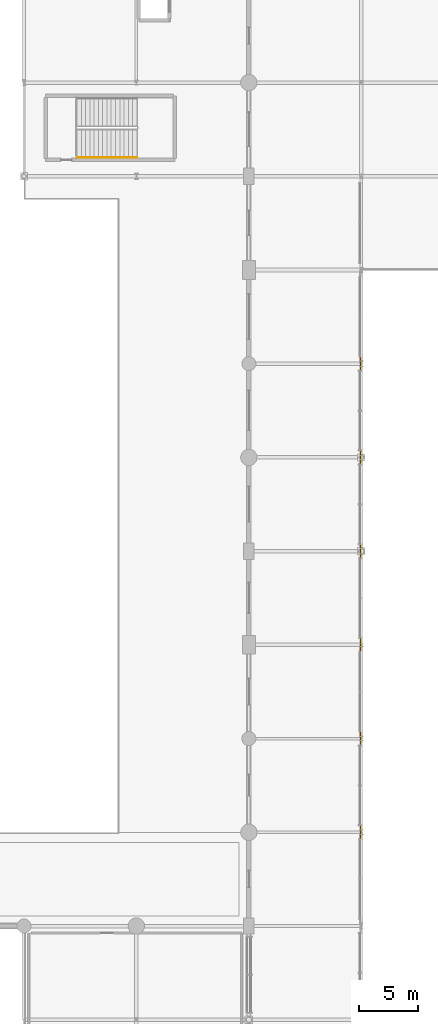
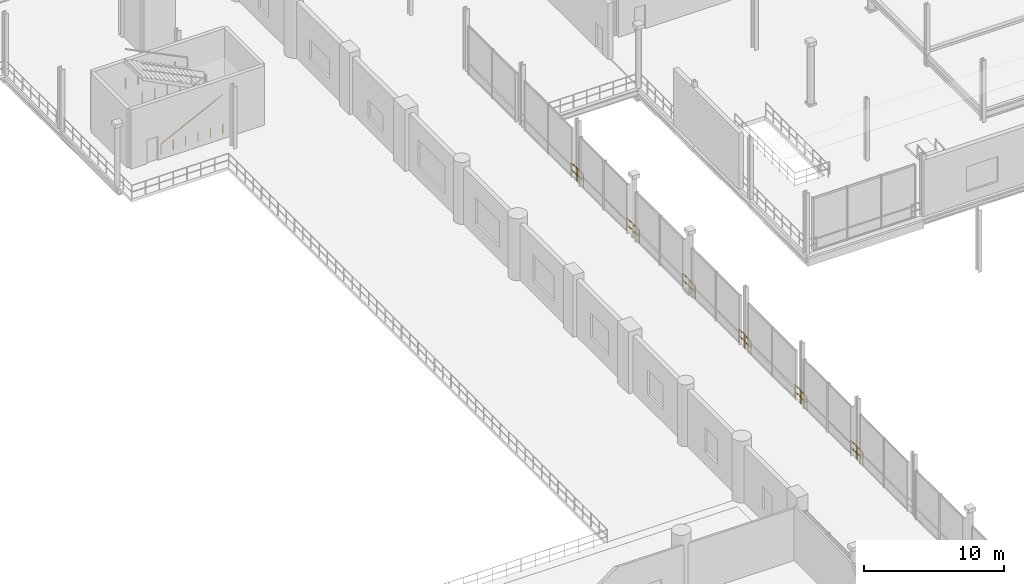
# One storey, part 115 of 129: 7 railings.
"""IFC4 building model written with IfcOpenShell, lengths in metres."""

import ifcopenshell
import ifcopenshell.guid

model = None  # the IFC model being written
_history = None  # IfcOwnerHistory: only IFC2X3 demands one
_inside = {}  # id of a spatial element -> (the spatial element, [elements in it])
_under = {}  # id of a project, library or spatial element -> (it, [spatial elements below it])
_declared = {}  # id of a project -> (the project, [libraries it declares])
_typed = {}  # id of a type object -> (the type object, [elements of that type])
_made_of = {}  # id of a material, layer set ... -> (it, [elements and type objects made of it])


def new_model(schema):
    """Start an empty IFC model of exactly this schema.

    Asked for "IFC4X3", IfcOpenShell would pick the latest addendum, in which some entities
    have other attributes; the version numbers below select the first issue.
    IFC2X3 requires an IfcOwnerHistory on every rooted entity: one is made here for all.
    """
    global model, _history
    if schema == "IFC4X3":
        model = ifcopenshell.file(schema_version=(4, 3, 0, 0))
    else:
        model = ifcopenshell.file(schema=schema)
    _inside.clear()
    _under.clear()
    _declared.clear()
    _typed.clear()
    _made_of.clear()
    _history = None
    if model.schema == "IFC2X3":
        org = make("IfcOrganization", Name="unknown")
        user = make(
            "IfcPersonAndOrganization",
            ThePerson=make("IfcPerson", FamilyName="unknown"),
            TheOrganization=org,
        )
        app = make(
            "IfcApplication",
            ApplicationDeveloper=org,
            Version="unknown",
            ApplicationFullName="unknown",
            ApplicationIdentifier="unknown",
        )
        _history = make(
            "IfcOwnerHistory",
            OwningUser=user,
            OwningApplication=app,
            ChangeAction="ADDED",
            CreationDate=0,
        )
    return model


def make(cls, **values):
    """One entity of the class cls with the attributes given. An attribute that is None is left unset."""
    return model.create_entity(
        cls, **{name: value for name, value in values.items() if value is not None}
    )


def rooted(cls, **values):
    """An entity with a GlobalId (a new one), such as an element, a storey or a relation."""
    return make(cls, GlobalId=ifcopenshell.guid.new(), OwnerHistory=_history, **values)


def si_unit(unit_type, name, prefix=None):
    """IfcSIUnit, for example si_unit("LENGTHUNIT", "METRE", prefix="MILLI")."""
    return make("IfcSIUnit", UnitType=unit_type, Prefix=prefix, Name=name)


def assignment(units):
    """IfcUnitAssignment: the units of a project."""
    return None if units is None else make("IfcUnitAssignment", Units=units)


def point(xyz):
    """IfcCartesianPoint."""
    return None if xyz is None else make("IfcCartesianPoint", Coordinates=xyz)


def direction(xyz):
    """IfcDirection."""
    return None if xyz is None else make("IfcDirection", DirectionRatios=xyz)


def frame(location, z_axis=None, x_axis=None):
    """IfcAxis2Placement3D, a coordinate frame: its origin and axes. An axis left out is left unset."""
    return make(
        "IfcAxis2Placement3D",
        Location=point(location),
        Axis=direction(z_axis),
        RefDirection=direction(x_axis),
    )


def frame_2d(location, x_axis=None):
    """IfcAxis2Placement2D, a coordinate frame in the plane: its origin and x axis."""
    return make(
        "IfcAxis2Placement2D", Location=point(location), RefDirection=direction(x_axis)
    )


def origin():
    """The frame at (0, 0, 0) with its axes left unset."""
    return frame((0.0, 0.0, 0.0))


def origin_2d():
    """The frame at (0, 0) in the plane with its x axis left unset."""
    return frame_2d((0.0, 0.0))


def place(relative_to, where):
    """IfcLocalPlacement: puts the frame where relative to a parent placement (None: the world)."""
    return make(
        "IfcLocalPlacement", PlacementRelTo=relative_to, RelativePlacement=where
    )


def context(
    kind, dimensions, precision=None, world=None, true_north=None, identifier=None
):
    """IfcGeometricRepresentationContext, for example the 3D "Model" context."""
    return make(
        "IfcGeometricRepresentationContext",
        ContextIdentifier=identifier,
        ContextType=kind,
        CoordinateSpaceDimension=dimensions,
        Precision=precision,
        WorldCoordinateSystem=world,
        TrueNorth=true_north,
    )


def subcontext(parent, identifier, kind, view, scale=None):
    """IfcGeometricRepresentationSubContext, for example "Body" below "Model"."""
    return make(
        "IfcGeometricRepresentationSubContext",
        ContextIdentifier=identifier,
        ContextType=kind,
        ParentContext=parent,
        TargetScale=scale,
        TargetView=view,
    )


def project(units=None, contexts=None):
    """IfcProject with its units and contexts."""
    return rooted(
        "IfcProject",
        Name="project",
        RepresentationContexts=contexts,
        UnitsInContext=assignment(units),
    )


def spatial(cls, under=None, at=None, **own):
    """A site, building, storey or space (cls), placed at a placement, below another one or the project."""
    s = rooted(cls, ObjectPlacement=at, **own)
    if under is not None:
        _under.setdefault(under.id(), (under, []))[1].append(s)
    return s


def profile(cls, at=None, kind="AREA", **sizes):
    """A parametric profile (cls). Its sizes go by their IFC names, for example OverallWidth=200.0."""
    return make(cls, ProfileType=kind, Position=at, **sizes)


def circle(**sizes):
    """IfcCircleProfileDef."""
    return profile("IfcCircleProfileDef", **sizes)


def extrude(swept, where, along, depth):
    """IfcExtrudedAreaSolid: the profile swept, set in the frame where, extruded along a direction by depth."""
    return make(
        "IfcExtrudedAreaSolid",
        SweptArea=swept,
        Position=where,
        ExtrudedDirection=direction(along),
        Depth=depth,
    )


def shape(context_of_items, identifier, shape_type, items):
    """IfcShapeRepresentation: the items that make up one representation, for example the "Body"."""
    return make(
        "IfcShapeRepresentation",
        ContextOfItems=context_of_items,
        RepresentationIdentifier=identifier,
        RepresentationType=shape_type,
        Items=items,
    )


def material(Name=None, Category=None):
    """IfcMaterial."""
    return make("IfcMaterial", Name=Name, Category=Category)


def made_of(thing, what):
    """Note that an element or type object is made of a material, layer set ...; save() writes the relation."""
    if what is not None:
        _made_of.setdefault(what.id(), (what, []))[1].append(thing)
    return thing


def type_object(cls, material=None, **own):
    """A type object (cls), such as IfcWallType, which elements share."""
    return made_of(rooted(cls, **own), material)


def element(
    cls,
    number,
    at=None,
    inside=None,
    cuts=None,
    type_object=None,
    material=None,
    context=None,
    identifier="Body",
    shape_type=None,
    held_by="IfcProductDefinitionShape",
    body=None,
    shapes=None,
    **own,
):
    """One element of the class cls, such as IfcWall. Its Tag is "e" and its number.

    at: its placement. inside: the storey or other place that contains it. cuts: it is an
    opening in that element (IfcRelVoidsElement). A single representation is given by context,
    identifier, shape_type and body (its items); several are given by shapes. held_by: the class
    of the entity that holds the representations. save() writes the other relations.
    """
    e = rooted(cls, Tag="e%d" % number, ObjectPlacement=at, **own)
    if body is not None:
        shapes = [shape(context, identifier, shape_type, body)]
    if shapes is not None:
        e.Representation = make(held_by, Representations=shapes)
    if inside is not None:
        _inside.setdefault(inside.id(), (inside, []))[1].append(e)
    if cuts is not None:
        rooted(
            "IfcRelVoidsElement", RelatingBuildingElement=cuts, RelatedOpeningElement=e
        )
    if type_object is not None:
        _typed.setdefault(type_object.id(), (type_object, []))[1].append(e)
    return made_of(e, material)


def aggregate(whole, parts):
    """IfcRelAggregates: a whole, such as a stair, and the parts it consists of."""
    return rooted("IfcRelAggregates", RelatingObject=whole, RelatedObjects=parts)


def save(model, path):
    """Write the relations noted so far, then the file.

    IfcRelAggregates (storeys below a building ...), IfcRelContainedInSpatialStructure (elements
    in a storey), IfcRelDefinesByType, IfcRelAssociatesMaterial and IfcRelDeclares: one each for
    every whole, place, type object, material and project.
    """
    for whole, parts in _under.values():
        aggregate(whole, parts)
    for where, things in _inside.values():
        rooted(
            "IfcRelContainedInSpatialStructure",
            RelatedElements=things,
            RelatingStructure=where,
        )
    for kind, things in _typed.values():
        rooted("IfcRelDefinesByType", RelatedObjects=things, RelatingType=kind)
    for what, things in _made_of.values():
        rooted("IfcRelAssociatesMaterial", RelatedObjects=things, RelatingMaterial=what)
    for by, libraries in _declared.values():
        rooted("IfcRelDeclares", RelatingContext=by, RelatedDefinitions=libraries)
    model.write(path)


model = new_model("IFC4")

# Units and contexts
model_context = context("Model", 3, precision=1e-05, world=origin(), true_north=direction((0.0, 1.0)))
body_context = subcontext(model_context, "Body", "Model", "MODEL_VIEW")
ifc_project = project(units=[si_unit("LENGTHUNIT", "METRE"), si_unit("AREAUNIT", "SQUARE_METRE"), si_unit("VOLUMEUNIT", "CUBIC_METRE"), si_unit("PLANEANGLEUNIT", "RADIAN"), si_unit("MASSUNIT", "GRAM", prefix="KILO")], contexts=[model_context])

# Site, building, storey
site_placement = place(None, origin())
site = spatial("IfcSite", under=ifc_project, at=site_placement, CompositionType="ELEMENT")
building_placement = place(site_placement, origin())
building = spatial("IfcBuilding", under=site, at=building_placement, Name="Danafjord Basin Convention Centre", CompositionType="ELEMENT")
storey_placement = place(building_placement, frame((0.0, 0.0, 6.0)))
storey = spatial("IfcBuildingStorey", under=building, at=storey_placement, Name="L01", CompositionType="ELEMENT", Elevation=6.0)

# Railings
ifc_material_1 = material(Name="Laminated structural glass and stainless steel", Category="steel")
railing_type_1 = type_object("IfcRailingType", Name="RL-BAL-GLS", PredefinedType="BALUSTRADE", material=ifc_material_1)
for number, where, name in (
    (1, (124.719970703125, 104.8798828125, 0.0), "L01 safety guard balustrade 31"),
    (2, (124.719970703125, 96.8798828125, 0.0), "L01 safety guard balustrade 32"),
    (3, (124.719970703125, 88.8798828125, 0.0), "L01 safety guard balustrade 33"),
    (4, (124.719970703125, 80.8798828125, 0.0), "L01 safety guard balustrade 34"),
    (5, (124.719970703125, 72.8798828125, 0.0), "L01 safety guard balustrade 35"),
    (6, (124.719970703125, 64.8798828125, 0.0), "L01 safety guard balustrade 36"),
):
    element("IfcRailing", number, at=place(storey_placement, frame(where)), inside=storey, type_object=railing_type_1, Name=name, PredefinedType="BALUSTRADE", context=body_context, shape_type="SweptSolid", body=[
        extrude(circle(Radius=0.02392578125, at=origin_2d()), frame((0.0, 0.0, 1.1259765625), z_axis=(0.0, -1.0, 0.0), x_axis=(1.0, 0.0, 0.0)), (0.0, 0.0, 1.0), 1.759765625),
        extrude(circle(Radius=0.02392578125, at=origin_2d()), frame((0.0, 0.0, 0.55078125), z_axis=(0.0, -1.0, 0.0), x_axis=(1.0, 0.0, 0.0)), (0.0, 0.0, 1.0), 1.759765625),
        extrude(circle(Radius=0.02099609375, at=origin_2d()), origin(), (0.0, 0.0, 1.0), 1.099853515625),
        extrude(circle(Radius=0.02099609375, at=origin_2d()), frame((0.0, -0.8798828125, 0.0)), (0.0, 0.0, 1.0), 1.099853515625),
        extrude(circle(Radius=0.02099609375, at=origin_2d()), frame((0.0, -1.759765625, 0.0)), (0.0, 0.0, 1.0), 1.099853515625),
    ])
ifc_material_2 = material(Name="Brushed stainless steel EN 1.4404", Category="steel")
railing_type_2 = type_object("IfcRailingType", Name="RL-HR-STAIR", PredefinedType="HANDRAIL", material=ifc_material_2)
railing_placement = place(storey_placement, frame((100.530029296875, 121.610107421875, 0.179931640625)))
element("IfcRailing", 7, at=railing_placement, inside=storey, type_object=railing_type_2, Name="L01 ST-09 stair handrail 1", PredefinedType="HANDRAIL", context=body_context, shape_type="SweptSolid", body=[
    extrude(circle(Radius=0.02392578125, at=origin_2d()), frame((0.0, 0.0, 0.8759765625), z_axis=(0.89686481642, 0.0, 0.442304760396), x_axis=(0.0, 1.0, 0.0)), (0.0, 0.0, 1.0), 5.697509765625),
    extrude(circle(Radius=0.02099609375, at=origin_2d()), origin(), (0.0, 0.0, 1.0), 0.849853515625),
    extrude(circle(Radius=0.02099609375, at=origin_2d()), frame((1.02197265625, 0.0, 0.0)), (0.0, 0.0, 1.0), 0.849853515625),
    extrude(circle(Radius=0.02099609375, at=origin_2d()), frame((2.0439453125, 0.0, 0.0)), (0.0, 0.0, 1.0), 0.849853515625),
    extrude(circle(Radius=0.02099609375, at=origin_2d()), frame((3.06591796875, 0.0, 0.0)), (0.0, 0.0, 1.0), 0.849853515625),
    extrude(circle(Radius=0.02099609375, at=origin_2d()), frame((4.087890625, 0.0, 0.0)), (0.0, 0.0, 1.0), 0.849853515625),
    extrude(circle(Radius=0.02099609375, at=origin_2d()), frame((5.10986328125, 0.0, 0.0)), (0.0, 0.0, 1.0), 0.849853515625),
])

save(model, "model.ifc")
